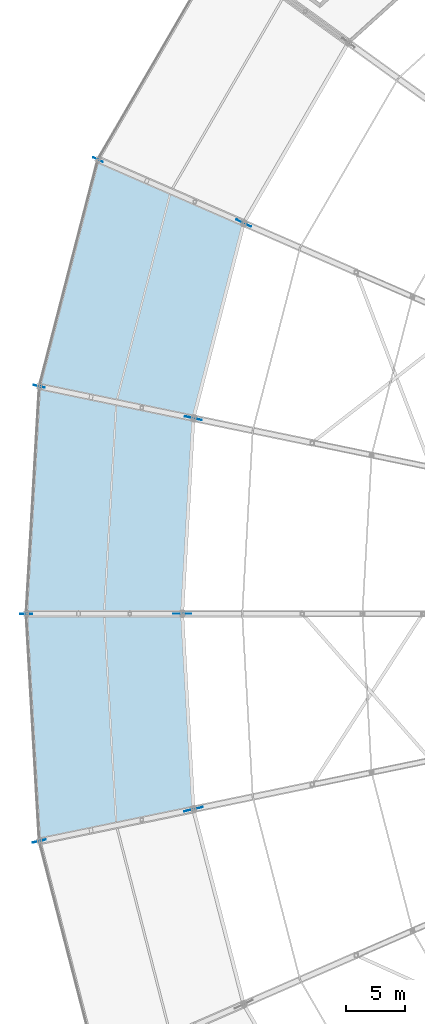
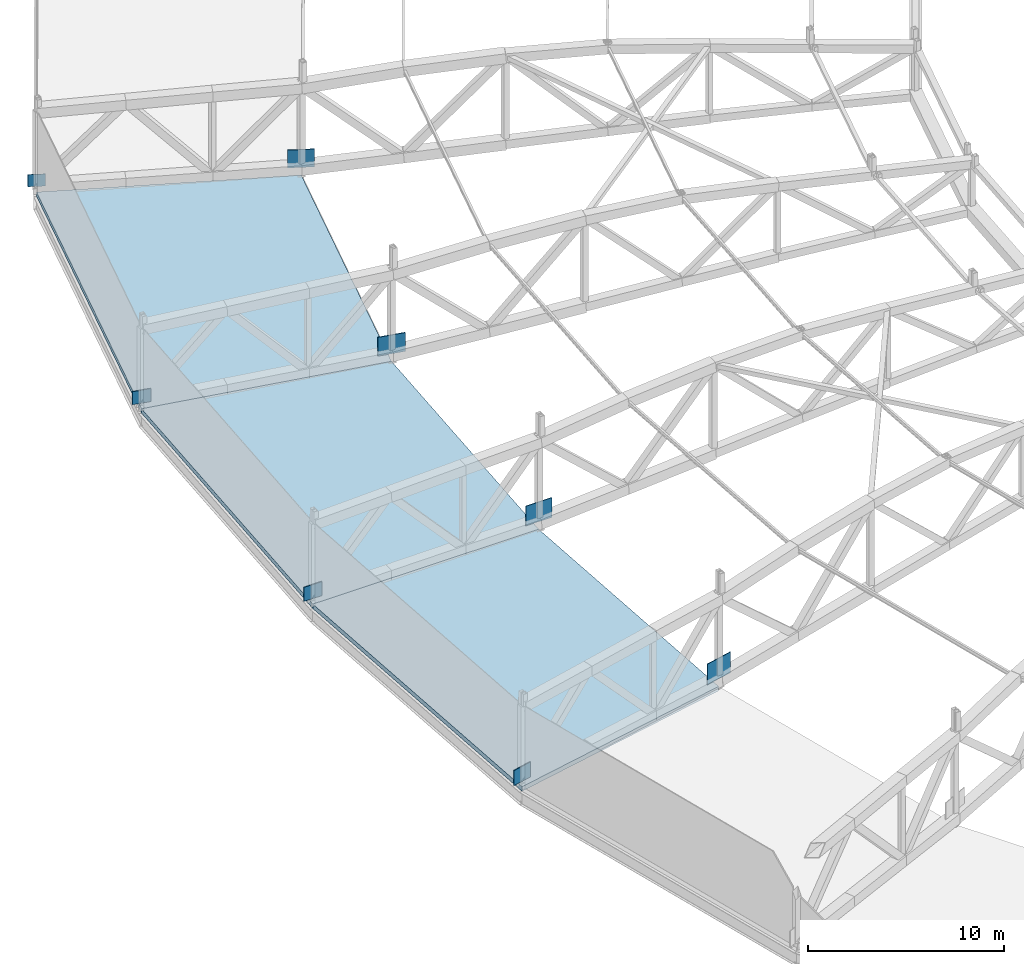
# One storey, part 141 of 162: 8 plates, 3 slabs.
"""IFC4 building model written with IfcOpenShell, lengths in metres."""

from ifc_helpers import new_model, si_unit, direction, frame, origin, origin_2d, place, context, subcontext, project, spatial, polyline, rectangle, outline, extrude, material, layer, layer_set, type_object, element, save


model = new_model("IFC4")

# Units and contexts
model_context = context("Model", 3, precision=1e-05, world=origin(), true_north=direction((0.0, 1.0)))
body_context = subcontext(model_context, "Body", "Model", "MODEL_VIEW")
ifc_project = project(units=[si_unit("LENGTHUNIT", "METRE"), si_unit("AREAUNIT", "SQUARE_METRE"), si_unit("VOLUMEUNIT", "CUBIC_METRE"), si_unit("PLANEANGLEUNIT", "RADIAN"), si_unit("MASSUNIT", "GRAM", prefix="KILO")], contexts=[model_context])

# Site, building, storey
site_placement = place(None, origin())
site = spatial("IfcSite", under=ifc_project, at=site_placement, CompositionType="ELEMENT")
building_placement = place(site_placement, origin())
building = spatial("IfcBuilding", under=site, at=building_placement, Name="Kazemori Nagisa Stadium", CompositionType="ELEMENT")
storey_placement = place(building_placement, frame((0.0, 0.0, 36.719970703125)))
storey = spatial("IfcBuildingStorey", under=building, at=storey_placement, Name="RF", CompositionType="ELEMENT", Elevation=36.719970703125)

# Plates
ifc_material_1 = material(Name="Steel SN490B", Category="steel")
ifc_layer_1 = layer(ifc_material_1, 0.035888671875, Name="Steel SN490B", Category="steel")
ifc_layer_set_1 = layer_set([ifc_layer_1], Name="Steel SN490B")
plate_type_1 = type_object("IfcPlateType", Name="GussetPlate_GP-01", PredefinedType="SHEET", material=ifc_layer_set_1)
plate_1_placement = place(storey_placement, frame((34.114990234375, 140.74951171875, 0.360107421875), z_axis=(0.0, 0.0, 1.0), x_axis=(-0.900968867905, 0.433883739113, 0.0)))
element("IfcPlate", 1, at=plate_1_placement, inside=storey, type_object=plate_type_1, Name="Roof truss anchor gusset plate GP-01 RT-13-R3", PredefinedType="SHEET", context=body_context, shape_type="SweptSolid", body=[
    extrude(rectangle(XDim=0.89990234375, YDim=0.035888671875, at=origin_2d()), origin(), (0.0, 0.0, 1.0), 0.75),
])
ifc_layer_2 = layer(ifc_material_1, 0.0400390625, Name="Steel SN490B", Category="steel")
ifc_layer_set_2 = layer_set([ifc_layer_2], Name="Steel SN490B")
plate_type_2 = type_object("IfcPlateType", Name="GussetPlate_GP-02", PredefinedType="SHEET", material=ifc_layer_set_2)
plate_2_placement = place(storey_placement, frame((29.119140625, 121.397705078125, 0.360107421875), z_axis=(0.0, 0.0, 1.0), x_axis=(-0.974927912182, 0.222520933954, 0.0)))
element("IfcPlate", 2, at=plate_2_placement, inside=storey, type_object=plate_type_2, Name="Roof truss anchor gusset plate GP-02 RT-14-R3", PredefinedType="SHEET", context=body_context, shape_type="SweptSolid", body=[
    extrude(rectangle(XDim=0.97998046875, YDim=0.0400390625, at=origin_2d()), origin(), (0.0, 0.0, 1.0), 0.81005859375),
])
ifc_layer_3 = layer(ifc_material_1, 0.0439453125, Name="Steel SN490B", Category="steel")
ifc_layer_set_3 = layer_set([ifc_layer_3], Name="Steel SN490B")
plate_type_3 = type_object("IfcPlateType", Name="GussetPlate_GP-03", PredefinedType="SHEET", material=ifc_layer_set_3)
plate_3_placement = place(storey_placement, frame((28.0, 102.0, 0.35986328125), z_axis=(0.0, 0.0, 1.0), x_axis=(-1.0, 0.0, 0.0)))
element("IfcPlate", 3, at=plate_3_placement, inside=storey, type_object=plate_type_3, Name="Roof truss anchor gusset plate GP-03 RT-15-R3", PredefinedType="SHEET", context=body_context, shape_type="SweptSolid", body=[
    extrude(rectangle(XDim=1.06005859375, YDim=0.0439453125, at=origin_2d()), origin(), (0.0, 0.0, 1.0), 0.8701171875),
])
ifc_layer_4 = layer(ifc_material_1, 0.048095703125, Name="Steel SN490B", Category="steel")
ifc_layer_set_4 = layer_set([ifc_layer_4], Name="Steel SN490B")
plate_type_4 = type_object("IfcPlateType", Name="GussetPlate_GP-04", PredefinedType="SHEET", material=ifc_layer_set_4)
plate_4_placement = place(storey_placement, frame((29.119140625, 82.602294921875, 0.35986328125), z_axis=(0.0, 0.0, 1.0), x_axis=(-0.974927912182, -0.222520933954, 0.0)))
element("IfcPlate", 4, at=plate_4_placement, inside=storey, type_object=plate_type_4, Name="Roof truss anchor gusset plate GP-04 RT-16-R3", PredefinedType="SHEET", context=body_context, shape_type="SweptSolid", body=[
    extrude(rectangle(XDim=1.139892578125, YDim=0.048095703125, at=origin_2d()), origin(), (0.0, 0.0, 1.0), 0.929931640625),
])
ifc_layer_5 = layer(ifc_material_1, 0.0439453125, Name="Steel SN490B", Category="steel")
ifc_layer_set_5 = layer_set([ifc_layer_5], Name="Steel SN490B")
plate_type_5 = type_object("IfcPlateType", Name="GussetPlate_GP-07", PredefinedType="SHEET", material=ifc_layer_set_5)
plate_5_placement = place(storey_placement, frame((46.55908203125, 135.32470703125, 0.47998046875), z_axis=(0.0, 0.0, 1.0), x_axis=(-0.900968867905, 0.433883739113, 0.0)))
element("IfcPlate", 5, at=plate_5_placement, inside=storey, type_object=plate_type_5, Name="Roof truss anchor gusset plate GP-07 RT-13-R2", PredefinedType="SHEET", context=body_context, shape_type="SweptSolid", body=[
    extrude(rectangle(XDim=1.3798828125, YDim=0.0439453125, at=origin_2d()), origin(), (0.0, 0.0, 1.0), 1.110107421875),
])
ifc_layer_6 = layer(ifc_material_1, 0.048095703125, Name="Steel SN490B", Category="steel")
ifc_layer_set_6 = layer_set([ifc_layer_6], Name="Steel SN490B")
plate_type_6 = type_object("IfcPlateType", Name="GussetPlate_GP-08", PredefinedType="SHEET", material=ifc_layer_set_6)
plate_6_placement = place(storey_placement, frame((42.262451171875, 118.68212890625, 0.47998046875), z_axis=(0.0, 0.0, 1.0), x_axis=(-0.974927912182, 0.222520933954, 0.0)))
element("IfcPlate", 6, at=plate_6_placement, inside=storey, type_object=plate_type_6, Name="Roof truss anchor gusset plate GP-08 RT-14-R2", PredefinedType="SHEET", context=body_context, shape_type="SweptSolid", body=[
    extrude(rectangle(XDim=1.4599609375, YDim=0.048095703125, at=origin_2d()), origin(), (0.0, 0.0, 1.0), 1.169921875),
])
ifc_layer_7 = layer(ifc_material_1, 0.035888671875, Name="Steel SN490B", Category="steel")
ifc_layer_set_7 = layer_set([ifc_layer_7], Name="Steel SN490B")
plate_type_7 = type_object("IfcPlateType", Name="GussetPlate_GP-09", PredefinedType="SHEET", material=ifc_layer_set_7)
plate_7_placement = place(storey_placement, frame((41.300048828125, 102.0, 0.47998046875), z_axis=(0.0, 0.0, 1.0), x_axis=(-1.0, 0.0, 0.0)))
element("IfcPlate", 7, at=plate_7_placement, inside=storey, type_object=plate_type_7, Name="Roof truss anchor gusset plate GP-09 RT-15-R2", PredefinedType="SHEET", context=body_context, shape_type="SweptSolid", body=[
    extrude(rectangle(XDim=1.5400390625, YDim=0.035888671875, at=origin_2d()), origin(), (0.0, 0.0, 1.0), 1.22998046875),
])
ifc_layer_8 = layer(ifc_material_1, 0.0400390625, Name="Steel SN490B", Category="steel")
ifc_layer_set_8 = layer_set([ifc_layer_8], Name="Steel SN490B")
plate_type_8 = type_object("IfcPlateType", Name="GussetPlate_GP-10", PredefinedType="SHEET", material=ifc_layer_set_8)
plate_8_placement = place(storey_placement, frame((42.262451171875, 85.31787109375, 0.47998046875), z_axis=(0.0, 0.0, 1.0), x_axis=(-0.974927912182, -0.222520933954, 0.0)))
element("IfcPlate", 8, at=plate_8_placement, inside=storey, type_object=plate_type_8, Name="Roof truss anchor gusset plate GP-10 RT-16-R2", PredefinedType="SHEET", context=body_context, shape_type="SweptSolid", body=[
    extrude(rectangle(XDim=1.6201171875, YDim=0.0400390625, at=origin_2d()), origin(), (0.0, 0.0, 1.0), 1.2900390625),
])

# Slabs
ifc_material_2 = material(Name="Concrete C36/45 (Fc36)", Category="concrete")
ifc_layer_9 = layer(ifc_material_2, 0.280029296875, Name="Concrete C36/45 (Fc36)", Category="concrete")
ifc_layer_set_9 = layer_set([ifc_layer_9], Name="Concrete C36/45 (Fc36)")
slab_type = type_object("IfcSlabType", Name="Slab_SL-RF-GOND-280", PredefinedType="ROOF", material=ifc_layer_set_9)
slab_1_placement = place(storey_placement, frame((0.0, 0.0, -0.280029296875)))
element("IfcSlab", 9, at=slab_1_placement, inside=storey, type_object=slab_type, Name="Media gondola and high-core roof closure slab RF B13", PredefinedType="ROOF", context=body_context, shape_type="SweptSolid", body=[
    extrude(outline(polyline([(46.55908203125, 135.32470703125), (42.262451171875, 118.68212890625), (29.119140625, 121.397705078125), (34.114990234375, 140.74951171875), (46.55908203125, 135.32470703125)])), origin(), (0.0, 0.0, 1.0), 0.280029296875),
])
slab_2_placement = place(storey_placement, frame((0.0, 0.0, -0.280029296875)))
element("IfcSlab", 10, at=slab_2_placement, inside=storey, type_object=slab_type, Name="Media gondola and high-core roof closure slab RF B14", PredefinedType="ROOF", context=body_context, shape_type="SweptSolid", body=[
    extrude(outline(polyline([(42.262451171875, 118.68212890625), (41.300048828125, 102.0), (28.0, 102.0), (29.119140625, 121.397705078125), (42.262451171875, 118.68212890625)])), origin(), (0.0, 0.0, 1.0), 0.280029296875),
])
slab_3_placement = place(storey_placement, frame((0.0, 0.0, -0.280029296875)))
element("IfcSlab", 11, at=slab_3_placement, inside=storey, type_object=slab_type, Name="Media gondola and high-core roof closure slab RF B15", PredefinedType="ROOF", context=body_context, shape_type="SweptSolid", body=[
    extrude(outline(polyline([(41.300048828125, 102.0), (42.262451171875, 85.31787109375), (29.119140625, 82.602294921875), (28.0, 102.0), (41.300048828125, 102.0)])), origin(), (0.0, 0.0, 1.0), 0.280029296875),
])

save(model, "model.ifc")
